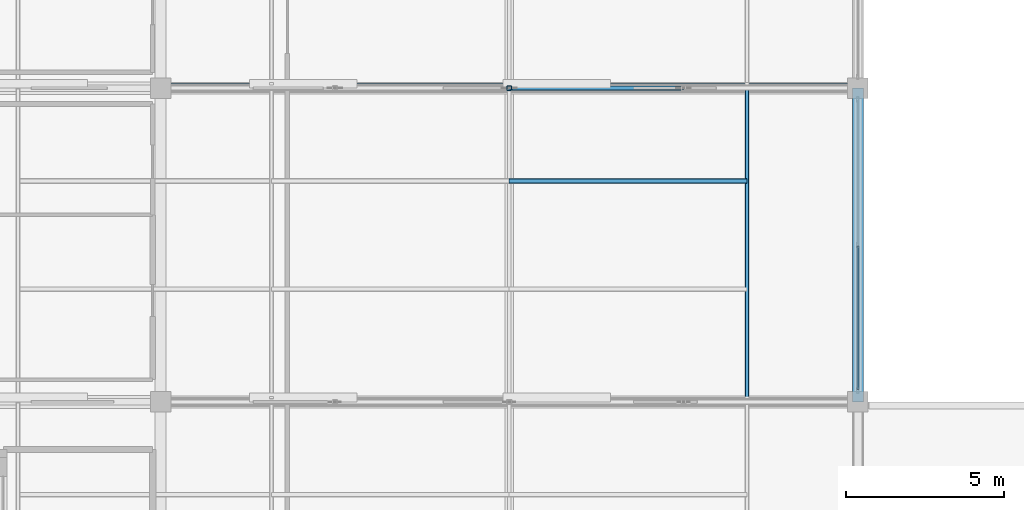
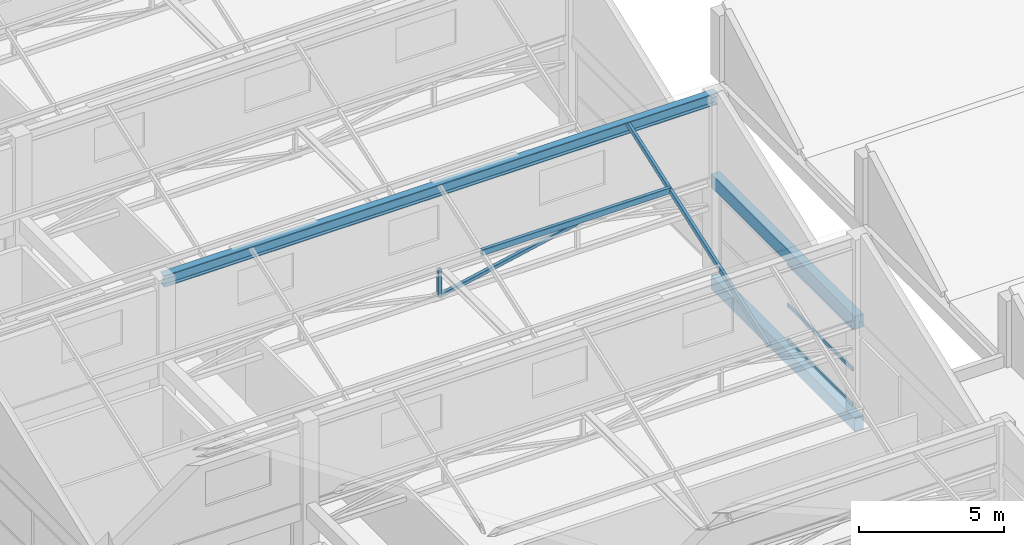
# One storey, part 13 of 35: 7 members, 3 beams, 1 element without a shape of its own.
"""IFC4 building model written with IfcOpenShell, lengths in metres."""

from ifc_helpers import new_model, si_unit, direction, frame, origin, origin_2d, place, context, subcontext, project, spatial, rectangle, hollow_rectangle, i_section, extrude, material, layer, layer_set, material_profile, profile_set, type_object, element, aggregate, save


model = new_model("IFC4")

# Units and contexts
model_context = context("Model", 3, precision=1e-05, world=origin(), true_north=direction((0.0, 1.0)))
body_context = subcontext(model_context, "Body", "Model", "MODEL_VIEW")
ifc_project = project(units=[si_unit("LENGTHUNIT", "METRE"), si_unit("AREAUNIT", "SQUARE_METRE"), si_unit("VOLUMEUNIT", "CUBIC_METRE"), si_unit("PLANEANGLEUNIT", "RADIAN"), si_unit("MASSUNIT", "GRAM", prefix="KILO")], contexts=[model_context])

# Site, building, storey
site_placement = place(None, origin())
site = spatial("IfcSite", under=ifc_project, at=site_placement, CompositionType="ELEMENT")
building_placement = place(site_placement, origin())
building = spatial("IfcBuilding", under=site, at=building_placement, Name="Sillaruma Civic Art Gallery", CompositionType="ELEMENT")
storey_placement = place(building_placement, frame((0.0, 0.0, 74.4599609375)))
storey = spatial("IfcBuildingStorey", under=building, at=storey_placement, Name="L15", CompositionType="ELEMENT", Elevation=74.4599609375)

# Beams
ifc_material_1 = material(Name="Concrete H35 (35 MPa)", Category="concrete")
ifc_material_profile_1 = material_profile(ifc_material_1, rectangle(XDim=0.35009765625, YDim=0.550048828125, at=origin_2d()), Name="RCB350x550")
ifc_profile_set_1 = profile_set([ifc_material_profile_1], Name="Concrete H35 (35 MPa)")
beam_type_1 = type_object("IfcBeamType", Name="BM-ROF-RCB350x550", PredefinedType="SPANDREL", material=ifc_profile_set_1)
beam_1_placement = place(storey_placement, frame((92.0, 49.5, 3.76513671875), z_axis=(0.0, 1.0, 0.0), x_axis=(-1.0, 0.0, 0.0)))
element("IfcBeam", 1, at=beam_1_placement, inside=storey, type_object=beam_type_1, Name="Beam BSR-04 (L15:K:6-7)", PredefinedType="SPANDREL", context=body_context, shape_type="SweptSolid", body=[
    extrude(rectangle(XDim=0.35009765625, YDim=0.550048828125, at=origin_2d()), origin(), (0.0, 0.0, 1.0), 9.89990234375),
])
ifc_material_2 = material(Name="Structural Steel ASTM A992 Gr.50", Category="steel")
ifc_material_profile_2 = material_profile(ifc_material_2, i_section(OverallWidth=0.282958984375, OverallDepth=0.489013671875, WebThickness=0.01708984375, FlangeThickness=0.030517578125, FilletRadius=0.014892578125, at=origin_2d()), Name="W460x193")
ifc_profile_set_2 = profile_set([ifc_material_profile_2], Name="Structural Steel ASTM A992 Gr.50")
beam_type_2 = type_object("IfcBeamType", Name="BM-SAW-W460x193", PredefinedType="BEAM", material=ifc_profile_set_2)
beam_2_placement = place(storey_placement, frame((70.0, 59.39990234375, 7.239990234375), z_axis=(1.0, 0.0, 0.0), x_axis=(0.0, 1.0, 0.0)))
element("IfcBeam", 2, at=beam_2_placement, inside=storey, type_object=beam_type_2, Name="Sawtooth Ridge Steel Girder (2)", PredefinedType="BEAM", context=body_context, shape_type="SweptSolid", body=[
    extrude(i_section(OverallWidth=0.282958984375, OverallDepth=0.489013671875, WebThickness=0.01708984375, FlangeThickness=0.030517578125, FilletRadius=0.014892578125, at=origin_2d()), origin(), (0.0, 0.0, 1.0), 22.0),
])
ifc_material_profile_3 = material_profile(ifc_material_1, rectangle(XDim=0.35009765625, YDim=0.550048828125, at=origin_2d()), Name="RCB350x550")
ifc_profile_set_3 = profile_set([ifc_material_profile_3], Name="Concrete H35 (35 MPa)")
beam_type_3 = type_object("IfcBeamType", Name="BM-SPANDREL-RCB350x550", PredefinedType="SPANDREL", material=ifc_profile_set_3)
beam_3_placement = place(storey_placement, frame((92.0, 49.5, -0.52490234375), z_axis=(0.0, 1.0, 0.0), x_axis=(-1.0, 0.0, 0.0)))
element("IfcBeam", 3, at=beam_3_placement, inside=storey, type_object=beam_type_3, Name="Beam BS-04 (L14:K:6-7)", PredefinedType="SPANDREL", context=body_context, shape_type="SweptSolid", body=[
    extrude(rectangle(XDim=0.35009765625, YDim=0.550048828125, at=origin_2d()), origin(), (0.0, 0.0, 1.0), 9.89990234375),
])

# Members
ifc_material_3 = material(Name="Structural Steel ASTM A500 Gr.C", Category="steel")
ifc_material_profile_4 = material_profile(ifc_material_3, hollow_rectangle(XDim=0.14990234375, YDim=0.14990234375, WallThickness=0.010009765625, InnerFilletRadius=0.010009765625, OuterFilletRadius=0.02001953125, at=origin_2d()), Name="HSS150x150x10")
ifc_profile_set_4 = profile_set([ifc_material_profile_4], Name="Structural Steel ASTM A500 Gr.C")
member_type_1 = type_object("IfcMemberType", Name="MEM-BRACE-HSS150x150x10", PredefinedType="BRACE", material=ifc_profile_set_4)
member_1_placement = place(storey_placement, frame((81.0, 59.39990234375, 2.699951171875), z_axis=(0.978538722809, 0.0, 0.206063019398), x_axis=(0.0, 1.0, 0.0)))
element("IfcMember", 4, at=member_1_placement, inside=storey, type_object=member_type_1, Name="Warren Truss Diagonal TR-L15-3-D3", PredefinedType="BRACE", context=body_context, shape_type="SweptSolid", body=[
    extrude(hollow_rectangle(XDim=0.14990234375, YDim=0.14990234375, WallThickness=0.010009765625, InnerFilletRadius=0.010009765625, OuterFilletRadius=0.02001953125, at=origin_2d()), origin(), (0.0, 0.0, 1.0), 5.62060546875),
])
ifc_material_profile_5 = material_profile(ifc_material_3, hollow_rectangle(XDim=0.14990234375, YDim=0.14990234375, WallThickness=0.010009765625, InnerFilletRadius=0.010009765625, OuterFilletRadius=0.02001953125, at=origin_2d()), Name="HSS150x150x10")
ifc_profile_set_5 = profile_set([ifc_material_profile_5], Name="Structural Steel ASTM A500 Gr.C")
member_type_2 = type_object("IfcMemberType", Name="MEM-POST-HSS150x150x10", PredefinedType="POST", material=ifc_profile_set_5)
member_2_placement = place(storey_placement, frame((81.0, 59.39990234375, 2.699951171875), z_axis=(0.0, 0.0, 1.0), x_axis=(1.0, 0.0, 0.0)))
element("IfcMember", 5, at=member_2_placement, inside=storey, type_object=member_type_2, Name="Warren Truss Vertical Post TR-L15-3-V2", PredefinedType="POST", context=body_context, shape_type="SweptSolid", body=[
    extrude(hollow_rectangle(XDim=0.14990234375, YDim=0.14990234375, WallThickness=0.010009765625, InnerFilletRadius=0.010009765625, OuterFilletRadius=0.02001953125, at=origin_2d()), origin(), (0.0, 0.0, 1.0), 1.158203125),
])
ifc_material_profile_6 = material_profile(ifc_material_3, hollow_rectangle(XDim=0.14990234375, YDim=0.25, WallThickness=0.010009765625, InnerFilletRadius=0.010009765625, OuterFilletRadius=0.02001953125, at=origin_2d()), Name="HSS250x150x10")
ifc_profile_set_6 = profile_set([ifc_material_profile_6], Name="Structural Steel ASTM A500 Gr.C")
member_type_3 = type_object("IfcMemberType", Name="MEM-PUR-HSS250", PredefinedType="PURLIN", material=ifc_profile_set_6)
member_3_placement = place(storey_placement, frame((81.0, 56.471923828125, 6.322021484375), z_axis=(1.0, 0.0, 0.0), x_axis=(0.0, 1.0, 0.0)))
element("IfcMember", 6, at=member_3_placement, inside=storey, type_object=member_type_3, Name="Sawtooth Roof Steel Purlin (2.2.3)", PredefinedType="PURLIN", context=body_context, shape_type="SweptSolid", body=[
    extrude(hollow_rectangle(XDim=0.14990234375, YDim=0.25, WallThickness=0.010009765625, InnerFilletRadius=0.010009765625, OuterFilletRadius=0.02001953125, at=origin_2d()), origin(), (0.0, 0.0, 1.0), 7.5),
])
ifc_material_profile_7 = material_profile(ifc_material_3, hollow_rectangle(XDim=0.1201171875, YDim=0.199951171875, WallThickness=0.008056640625, InnerFilletRadius=0.008056640625, OuterFilletRadius=0.01611328125, at=origin_2d()), Name="HSS200x120x8")
ifc_profile_set_7 = profile_set([ifc_material_profile_7], Name="Structural Steel ASTM A500 Gr.C")
member_type_4 = type_object("IfcMemberType", Name="MEM-RAF-HSS200", PredefinedType="PURLIN", material=ifc_profile_set_7)
member_4_placement = place(storey_placement, frame((88.5, 49.639892578125, 3.900146484375), z_axis=(0.0, 0.942527174953, 0.33412950255), x_axis=(-1.0, 0.0, 0.0)))
element("IfcMember", 7, at=member_4_placement, inside=storey, type_object=member_type_4, Name="Sawtooth Sloped Steel Rafter (2-E)", PredefinedType="PURLIN", context=body_context, shape_type="SweptSolid", body=[
    extrude(hollow_rectangle(XDim=0.1201171875, YDim=0.199951171875, WallThickness=0.008056640625, InnerFilletRadius=0.008056640625, OuterFilletRadius=0.01611328125, at=origin_2d()), origin(), (0.0, 0.0, 1.0), 10.355224609375),
])

# Curtain wall, members
ifc_material_4 = material(Name="Thermally Broken Extruded Aluminium 6063-T6", Category="aluminium")
ifc_layer = layer(ifc_material_4, 0.179931640625, Name="Thermally Broken Extruded Aluminium 6063-T6")
ifc_layer_set = layer_set([ifc_layer], Name="Thermally Broken Extruded Aluminium 6063-T6")
curtain_wall_type = type_object("IfcCurtainWallType", Name="CW-UNI-112", PredefinedType="NOTDEFINED", material=ifc_layer_set)
curtain_wall_placement = place(storey_placement, origin())
curtain_wall = element("IfcCurtainWall", 8, at=curtain_wall_placement, inside=storey, type_object=curtain_wall_type, Name="Unitised Curtain Wall CW-112 (CW-L15-WBE-4)", PredefinedType="NOTDEFINED")
ifc_material_profile_8 = material_profile(ifc_material_4, hollow_rectangle(XDim=0.070068359375, YDim=0.139892578125, WallThickness=0.00390625, at=origin_2d()), Name="CWT70x140")
ifc_profile_set_8 = profile_set([ifc_material_profile_8], Name="Thermally Broken Extruded Aluminium 6063-T6")
member_type_5 = type_object("IfcMemberType", Name="MEM-TRN-CWT70x140", PredefinedType="USERDEFINED", material=ifc_profile_set_8)
member_5_placement = place(storey_placement, frame((92.0, 49.89501953125, 0.03515625), z_axis=(0.0, 1.0, 0.0), x_axis=(-1.0, 0.0, 0.0)))
member_5 = element("IfcMember", 9, at=member_5_placement, type_object=member_type_5, Name="CW-112 transom 1.1", ObjectType="TRANSOM", PredefinedType="USERDEFINED", context=body_context, shape_type="SweptSolid", body=[
    extrude(hollow_rectangle(XDim=0.070068359375, YDim=0.139892578125, WallThickness=0.00390625, at=origin_2d()), origin(), (0.0, 0.0, 1.0), 4.52001953125),
])
member_6_placement = place(storey_placement, frame((92.0, 49.89501953125, 1.513427734375), z_axis=(0.0, 1.0, 0.0), x_axis=(-1.0, 0.0, 0.0)))
member_6 = element("IfcMember", 10, at=member_6_placement, type_object=member_type_5, Name="CW-112 transom 1.2", ObjectType="TRANSOM", PredefinedType="USERDEFINED", context=body_context, shape_type="SweptSolid", body=[
    extrude(hollow_rectangle(XDim=0.070068359375, YDim=0.139892578125, WallThickness=0.00390625, at=origin_2d()), origin(), (0.0, 0.0, 1.0), 4.52001953125),
])
member_7_placement = place(storey_placement, frame((92.0, 49.89501953125, 3.255126953125), z_axis=(0.0, 1.0, 0.0), x_axis=(-1.0, 0.0, 0.0)))
member_7 = element("IfcMember", 11, at=member_7_placement, type_object=member_type_5, Name="CW-112 transom 1.3", ObjectType="TRANSOM", PredefinedType="USERDEFINED", context=body_context, shape_type="SweptSolid", body=[
    extrude(hollow_rectangle(XDim=0.070068359375, YDim=0.139892578125, WallThickness=0.00390625, at=origin_2d()), origin(), (0.0, 0.0, 1.0), 4.52001953125),
])
aggregate(curtain_wall, [member_5, member_6, member_7])

save(model, "model.ifc")
